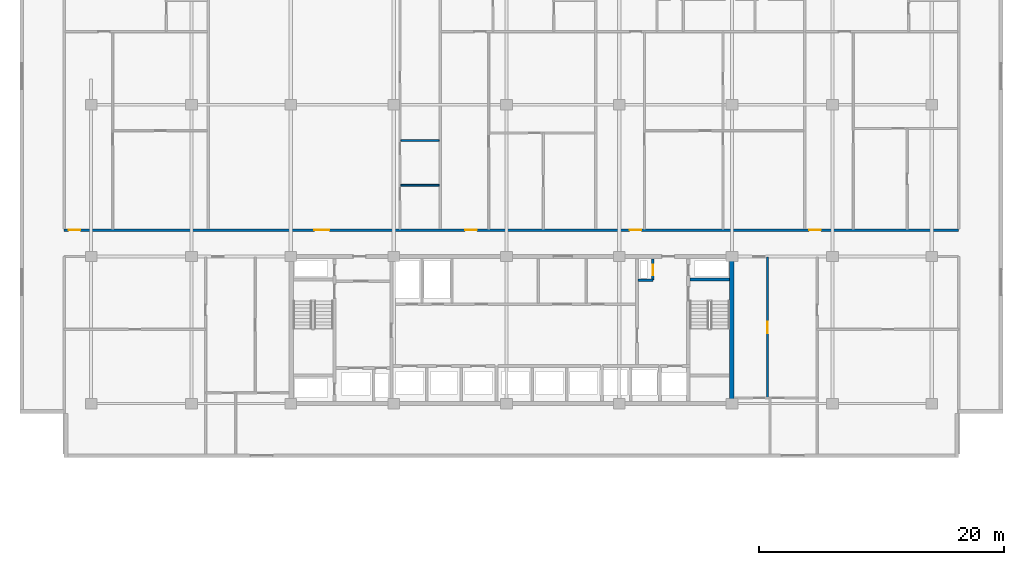
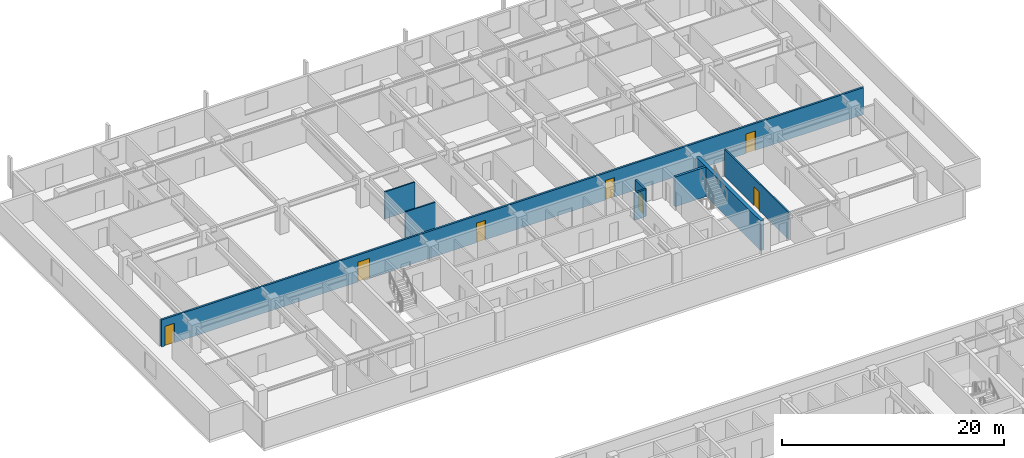
# One storey, part 13 of 22: 8 walls, 7 doors, 7 openings.
"""IFC4 building model written with IfcOpenShell, lengths in metres."""

import ifcopenshell
import ifcopenshell.guid

model = None  # the IFC model being written
_history = None  # IfcOwnerHistory: only IFC2X3 demands one
_inside = {}  # id of a spatial element -> (the spatial element, [elements in it])
_under = {}  # id of a project, library or spatial element -> (it, [spatial elements below it])
_declared = {}  # id of a project -> (the project, [libraries it declares])
_typed = {}  # id of a type object -> (the type object, [elements of that type])
_made_of = {}  # id of a material, layer set ... -> (it, [elements and type objects made of it])


def new_model(schema):
    """Start an empty IFC model of exactly this schema.

    Asked for "IFC4X3", IfcOpenShell would pick the latest addendum, in which some entities
    have other attributes; the version numbers below select the first issue.
    IFC2X3 requires an IfcOwnerHistory on every rooted entity: one is made here for all.
    """
    global model, _history
    if schema == "IFC4X3":
        model = ifcopenshell.file(schema_version=(4, 3, 0, 0))
    else:
        model = ifcopenshell.file(schema=schema)
    _inside.clear()
    _under.clear()
    _declared.clear()
    _typed.clear()
    _made_of.clear()
    _history = None
    if model.schema == "IFC2X3":
        org = make("IfcOrganization", Name="unknown")
        user = make(
            "IfcPersonAndOrganization",
            ThePerson=make("IfcPerson", FamilyName="unknown"),
            TheOrganization=org,
        )
        app = make(
            "IfcApplication",
            ApplicationDeveloper=org,
            Version="unknown",
            ApplicationFullName="unknown",
            ApplicationIdentifier="unknown",
        )
        _history = make(
            "IfcOwnerHistory",
            OwningUser=user,
            OwningApplication=app,
            ChangeAction="ADDED",
            CreationDate=0,
        )
    return model


def make(cls, **values):
    """One entity of the class cls with the attributes given. An attribute that is None is left unset."""
    return model.create_entity(
        cls, **{name: value for name, value in values.items() if value is not None}
    )


def rooted(cls, **values):
    """An entity with a GlobalId (a new one), such as an element, a storey or a relation."""
    return make(cls, GlobalId=ifcopenshell.guid.new(), OwnerHistory=_history, **values)


def si_unit(unit_type, name, prefix=None):
    """IfcSIUnit, for example si_unit("LENGTHUNIT", "METRE", prefix="MILLI")."""
    return make("IfcSIUnit", UnitType=unit_type, Prefix=prefix, Name=name)


def assignment(units):
    """IfcUnitAssignment: the units of a project."""
    return None if units is None else make("IfcUnitAssignment", Units=units)


def point(xyz):
    """IfcCartesianPoint."""
    return None if xyz is None else make("IfcCartesianPoint", Coordinates=xyz)


def direction(xyz):
    """IfcDirection."""
    return None if xyz is None else make("IfcDirection", DirectionRatios=xyz)


def frame(location, z_axis=None, x_axis=None):
    """IfcAxis2Placement3D, a coordinate frame: its origin and axes. An axis left out is left unset."""
    return make(
        "IfcAxis2Placement3D",
        Location=point(location),
        Axis=direction(z_axis),
        RefDirection=direction(x_axis),
    )


def frame_2d(location, x_axis=None):
    """IfcAxis2Placement2D, a coordinate frame in the plane: its origin and x axis."""
    return make(
        "IfcAxis2Placement2D", Location=point(location), RefDirection=direction(x_axis)
    )


def origin():
    """The frame at (0, 0, 0) with its axes left unset."""
    return frame((0.0, 0.0, 0.0))


def place(relative_to, where):
    """IfcLocalPlacement: puts the frame where relative to a parent placement (None: the world)."""
    return make(
        "IfcLocalPlacement", PlacementRelTo=relative_to, RelativePlacement=where
    )


def context(
    kind, dimensions, precision=None, world=None, true_north=None, identifier=None
):
    """IfcGeometricRepresentationContext, for example the 3D "Model" context."""
    return make(
        "IfcGeometricRepresentationContext",
        ContextIdentifier=identifier,
        ContextType=kind,
        CoordinateSpaceDimension=dimensions,
        Precision=precision,
        WorldCoordinateSystem=world,
        TrueNorth=true_north,
    )


def subcontext(parent, identifier, kind, view, scale=None):
    """IfcGeometricRepresentationSubContext, for example "Body" below "Model"."""
    return make(
        "IfcGeometricRepresentationSubContext",
        ContextIdentifier=identifier,
        ContextType=kind,
        ParentContext=parent,
        TargetScale=scale,
        TargetView=view,
    )


def project(units=None, contexts=None):
    """IfcProject with its units and contexts."""
    return rooted(
        "IfcProject",
        Name="project",
        RepresentationContexts=contexts,
        UnitsInContext=assignment(units),
    )


def spatial(cls, under=None, at=None, **own):
    """A site, building, storey or space (cls), placed at a placement, below another one or the project."""
    s = rooted(cls, ObjectPlacement=at, **own)
    if under is not None:
        _under.setdefault(under.id(), (under, []))[1].append(s)
    return s


def profile(cls, at=None, kind="AREA", **sizes):
    """A parametric profile (cls). Its sizes go by their IFC names, for example OverallWidth=200.0."""
    return make(cls, ProfileType=kind, Position=at, **sizes)


def rectangle(**sizes):
    """IfcRectangleProfileDef."""
    return profile("IfcRectangleProfileDef", **sizes)


def extrude(swept, where, along, depth):
    """IfcExtrudedAreaSolid: the profile swept, set in the frame where, extruded along a direction by depth."""
    return make(
        "IfcExtrudedAreaSolid",
        SweptArea=swept,
        Position=where,
        ExtrudedDirection=direction(along),
        Depth=depth,
    )


def shape(context_of_items, identifier, shape_type, items):
    """IfcShapeRepresentation: the items that make up one representation, for example the "Body"."""
    return make(
        "IfcShapeRepresentation",
        ContextOfItems=context_of_items,
        RepresentationIdentifier=identifier,
        RepresentationType=shape_type,
        Items=items,
    )


def material(Name=None, Category=None):
    """IfcMaterial."""
    return make("IfcMaterial", Name=Name, Category=Category)


def layer(
    of_material, thickness, ventilated=None, Name=None, Category=None, Priority=None
):
    """IfcMaterialLayer: one layer of a wall or slab, of a material (None: an air gap)."""
    return make(
        "IfcMaterialLayer",
        Material=of_material,
        LayerThickness=thickness,
        IsVentilated=ventilated,
        Name=Name,
        Category=Category,
        Priority=Priority,
    )


def layer_set(layers, Name=None):
    """IfcMaterialLayerSet."""
    return make("IfcMaterialLayerSet", MaterialLayers=layers, LayerSetName=Name)


def made_of(thing, what):
    """Note that an element or type object is made of a material, layer set ...; save() writes the relation."""
    if what is not None:
        _made_of.setdefault(what.id(), (what, []))[1].append(thing)
    return thing


def type_object(cls, material=None, **own):
    """A type object (cls), such as IfcWallType, which elements share."""
    return made_of(rooted(cls, **own), material)


def element(
    cls,
    number,
    at=None,
    inside=None,
    cuts=None,
    type_object=None,
    material=None,
    context=None,
    identifier="Body",
    shape_type=None,
    held_by="IfcProductDefinitionShape",
    body=None,
    shapes=None,
    **own,
):
    """One element of the class cls, such as IfcWall. Its Tag is "e" and its number.

    at: its placement. inside: the storey or other place that contains it. cuts: it is an
    opening in that element (IfcRelVoidsElement). A single representation is given by context,
    identifier, shape_type and body (its items); several are given by shapes. held_by: the class
    of the entity that holds the representations. save() writes the other relations.
    """
    e = rooted(cls, Tag="e%d" % number, ObjectPlacement=at, **own)
    if body is not None:
        shapes = [shape(context, identifier, shape_type, body)]
    if shapes is not None:
        e.Representation = make(held_by, Representations=shapes)
    if inside is not None:
        _inside.setdefault(inside.id(), (inside, []))[1].append(e)
    if cuts is not None:
        rooted(
            "IfcRelVoidsElement", RelatingBuildingElement=cuts, RelatedOpeningElement=e
        )
    if type_object is not None:
        _typed.setdefault(type_object.id(), (type_object, []))[1].append(e)
    return made_of(e, material)


def fill(opening, filler):
    """IfcRelFillsElement: the door or window that sits in an opening."""
    return rooted(
        "IfcRelFillsElement",
        RelatingOpeningElement=opening,
        RelatedBuildingElement=filler,
    )


def aggregate(whole, parts):
    """IfcRelAggregates: a whole, such as a stair, and the parts it consists of."""
    return rooted("IfcRelAggregates", RelatingObject=whole, RelatedObjects=parts)


def save(model, path):
    """Write the relations noted so far, then the file.

    IfcRelAggregates (storeys below a building ...), IfcRelContainedInSpatialStructure (elements
    in a storey), IfcRelDefinesByType, IfcRelAssociatesMaterial and IfcRelDeclares: one each for
    every whole, place, type object, material and project.
    """
    for whole, parts in _under.values():
        aggregate(whole, parts)
    for where, things in _inside.values():
        rooted(
            "IfcRelContainedInSpatialStructure",
            RelatedElements=things,
            RelatingStructure=where,
        )
    for kind, things in _typed.values():
        rooted("IfcRelDefinesByType", RelatedObjects=things, RelatingType=kind)
    for what, things in _made_of.values():
        rooted("IfcRelAssociatesMaterial", RelatedObjects=things, RelatingMaterial=what)
    for by, libraries in _declared.values():
        rooted("IfcRelDeclares", RelatingContext=by, RelatedDefinitions=libraries)
    model.write(path)


model = new_model("IFC4")

# Units and contexts
model_context = context("Model", 3, precision=1e-05, world=origin(), true_north=direction((0.0, 1.0)))
body_context = subcontext(model_context, "Body", "Model", "MODEL_VIEW")
ifc_project = project(units=[si_unit("LENGTHUNIT", "METRE"), si_unit("AREAUNIT", "SQUARE_METRE"), si_unit("VOLUMEUNIT", "CUBIC_METRE"), si_unit("PLANEANGLEUNIT", "RADIAN"), si_unit("MASSUNIT", "GRAM", prefix="KILO")], contexts=[model_context])

# Site, building, storey
site_placement = place(None, origin())
site = spatial("IfcSite", under=ifc_project, at=site_placement, CompositionType="ELEMENT")
building_placement = place(site_placement, origin())
building = spatial("IfcBuilding", under=site, at=building_placement, Name="Korimba Cascade Residences", CompositionType="ELEMENT")
storey_placement = place(building_placement, frame((0.0, 0.0, 87.300048828125)))
storey = spatial("IfcBuildingStorey", under=building, at=storey_placement, Name="L24", CompositionType="ELEMENT", Elevation=87.300048828125)

# Wall
ifc_material_1 = material(Name="Concrete C65/80", Category="concrete")
ifc_layer_1 = layer(ifc_material_1, 0.35009765625)
ifc_layer_set_1 = layer_set([ifc_layer_1], Name="Concrete C65/80")
wall_type_1 = type_object("IfcWallType", Name="WAL-CORE-350", PredefinedType="SHEAR", material=ifc_layer_set_1)
wall_1_placement = place(storey_placement, frame((112.074951171875, 55.375, 0.0), z_axis=(0.0, 0.0, 1.0), x_axis=(0.0, 1.0, 0.0)))
element("IfcWall", 1, at=wall_1_placement, inside=storey, type_object=wall_type_1, Name="L24 Core Shear Wall CW-L24-T1-E", PredefinedType="SHEAR", context=body_context, shape_type="SweptSolid", body=[
    extrude(rectangle(XDim=11.64990234375, YDim=0.35009765625, at=frame_2d((5.824951171875, 0.0))), origin(), (0.0, 0.0, 1.0), 3.25),
])

# Wall, openings, doors
ifc_material_2 = material(Name="Precast concrete C40/50", Category="concrete")
ifc_layer_2 = layer(ifc_material_2, 0.199951171875)
ifc_layer_set_2 = layer_set([ifc_layer_2], Name="Precast concrete C40/50")
wall_type_2 = type_object("IfcWallType", Name="WAL-IT-200", PredefinedType="PARTITIONING", material=ifc_layer_set_2)
wall_2_placement = place(storey_placement, frame((57.60009765625, 69.35009765625, 0.0), z_axis=(0.0, 0.0, 1.0), x_axis=(1.0, 0.0, 0.0)))
wall_2 = element("IfcWall", 2, at=wall_2_placement, inside=storey, type_object=wall_type_2, Name="L24 Partition Wall WAL-L24-T1-CORN", PredefinedType="PARTITIONING", context=body_context, shape_type="SweptSolid", body=[
    extrude(rectangle(XDim=73.0, YDim=0.199951171875, at=frame_2d((36.5, 0.0))), origin(), (0.0, 0.0, 1.0), 2.969970703125),
])
opening_1_placement = place(wall_2_placement, frame((0.3701171875, 0.0, 0.0)))
opening_1 = element("IfcOpeningElement", 3, at=opening_1_placement, cuts=wall_2, Name="Opening D-UN1", PredefinedType="OPENING", context=body_context, shape_type="SweptSolid", body=[
    extrude(rectangle(XDim=0.949951171875, YDim=2.14990234375, at=frame_2d((0.47509765625, 1.074951171875))), frame((0.0, 0.10986328125, 0.0), z_axis=(0.0, -1.0, 0.0), x_axis=(1.0, 0.0, 0.0)), (0.0, 0.0, 1.0), 0.219970703125),
])
opening_2_placement = place(wall_2_placement, frame((20.42138671875, 0.0, 0.0)))
opening_2 = element("IfcOpeningElement", 4, at=opening_2_placement, cuts=wall_2, Name="Opening D-AM1", PredefinedType="OPENING", context=body_context, shape_type="SweptSolid", body=[
    extrude(rectangle(XDim=1.219970703125, YDim=2.179931640625, at=frame_2d((0.60986328125, 1.08984375))), frame((0.0, 0.10986328125, 0.0), z_axis=(0.0, -1.0, 0.0), x_axis=(1.0, 0.0, 0.0)), (0.0, 0.0, 1.0), 0.219970703125),
])
opening_3_placement = place(wall_2_placement, frame((32.7294921875, 0.0, 0.0)))
opening_3 = element("IfcOpeningElement", 5, at=opening_3_placement, cuts=wall_2, Name="Opening D-UN1", PredefinedType="OPENING", context=body_context, shape_type="SweptSolid", body=[
    extrude(rectangle(XDim=0.949951171875, YDim=2.14990234375, at=frame_2d((0.47509765625, 1.074951171875))), frame((0.0, 0.10986328125, 0.0), z_axis=(0.0, -1.0, 0.0), x_axis=(1.0, 0.0, 0.0)), (0.0, 0.0, 1.0), 0.219970703125),
])
opening_4_placement = place(wall_2_placement, frame((46.1572265625, 0.0, 0.0)))
opening_4 = element("IfcOpeningElement", 6, at=opening_4_placement, cuts=wall_2, Name="Opening D-UN1", PredefinedType="OPENING", context=body_context, shape_type="SweptSolid", body=[
    extrude(rectangle(XDim=0.949951171875, YDim=2.14990234375, at=frame_2d((0.47509765625, 1.074951171875))), frame((0.0, 0.10986328125, 0.0), z_axis=(0.0, -1.0, 0.0), x_axis=(1.0, 0.0, 0.0)), (0.0, 0.0, 1.0), 0.219970703125),
])
opening_5_placement = place(wall_2_placement, frame((60.803466796875, 0.0, 0.0)))
opening_5 = element("IfcOpeningElement", 7, at=opening_5_placement, cuts=wall_2, Name="Opening D-UN1", PredefinedType="OPENING", context=body_context, shape_type="SweptSolid", body=[
    extrude(rectangle(XDim=0.949951171875, YDim=2.14990234375, at=frame_2d((0.47509765625, 1.074951171875))), frame((0.0, 0.10986328125, 0.0), z_axis=(0.0, -1.0, 0.0), x_axis=(1.0, 0.0, 0.0)), (0.0, 0.0, 1.0), 0.219970703125),
])
ifc_material_3 = material(Name="Fire-Rated Glazed Timber Suite Door", Category="wood")
door_type_1 = type_object("IfcDoorType", Name="DR-FD60-1200", OperationType="NOTDEFINED", PredefinedType="DOOR", material=ifc_material_3)
door_1_placement = place(opening_2_placement, origin())
door_1 = element("IfcDoor", 8, at=door_1_placement, inside=storey, type_object=door_type_1, Name="L24-T1-U02 Promenade Design Showroom Door", OperationType="SINGLE_SWING_RIGHT", OverallHeight=2.179931640625, OverallWidth=1.219970703125, PredefinedType="DOOR", context=body_context, shape_type="SweptSolid", body=[
    extrude(rectangle(XDim=1.219970703125, YDim=2.179931640625, at=frame_2d((0.60986328125, 1.08984375))), frame((0.0, 0.02490234375, 0.0), z_axis=(0.0, -1.0, 0.0), x_axis=(1.0, 0.0, 0.0)), (0.0, 0.0, 1.0), 0.050048828125),
])
fill(opening_2, door_1)
ifc_material_4 = material(Name="Fire-Rated Hardwood Apartment Entrance Door", Category="wood")
door_type_2 = type_object("IfcDoorType", Name="DR-FD60-950", OperationType="NOTDEFINED", PredefinedType="DOOR", material=ifc_material_4)
door_2_placement = place(opening_1_placement, origin())
door_2 = element("IfcDoor", 9, at=door_2_placement, inside=storey, type_object=door_type_2, Name="Unit L24-T1-U01 Entrance Door", OperationType="SINGLE_SWING_LEFT", OverallHeight=2.14990234375, OverallWidth=0.949951171875, PredefinedType="DOOR", context=body_context, shape_type="SweptSolid", body=[
    extrude(rectangle(XDim=0.949951171875, YDim=2.14990234375, at=frame_2d((0.47509765625, 1.074951171875))), frame((0.0, 0.02490234375, 0.0), z_axis=(0.0, -1.0, 0.0), x_axis=(1.0, 0.0, 0.0)), (0.0, 0.0, 1.0), 0.050048828125),
])
fill(opening_1, door_2)
door_3_placement = place(opening_3_placement, origin())
door_3 = element("IfcDoor", 10, at=door_3_placement, inside=storey, type_object=door_type_2, Name="Unit L24-T1-U03 Entrance Door", OperationType="SINGLE_SWING_LEFT", OverallHeight=2.14990234375, OverallWidth=0.949951171875, PredefinedType="DOOR", context=body_context, shape_type="SweptSolid", body=[
    extrude(rectangle(XDim=0.949951171875, YDim=2.14990234375, at=frame_2d((0.47509765625, 1.074951171875))), frame((0.0, 0.02490234375, 0.0), z_axis=(0.0, -1.0, 0.0), x_axis=(1.0, 0.0, 0.0)), (0.0, 0.0, 1.0), 0.050048828125),
])
fill(opening_3, door_3)
door_4_placement = place(opening_4_placement, origin())
door_4 = element("IfcDoor", 11, at=door_4_placement, inside=storey, type_object=door_type_2, Name="Unit L24-T1-U04 Entrance Door", OperationType="SINGLE_SWING_RIGHT", OverallHeight=2.14990234375, OverallWidth=0.949951171875, PredefinedType="DOOR", context=body_context, shape_type="SweptSolid", body=[
    extrude(rectangle(XDim=0.949951171875, YDim=2.14990234375, at=frame_2d((0.47509765625, 1.074951171875))), frame((0.0, 0.02490234375, 0.0), z_axis=(0.0, -1.0, 0.0), x_axis=(1.0, 0.0, 0.0)), (0.0, 0.0, 1.0), 0.050048828125),
])
fill(opening_4, door_4)
door_5_placement = place(opening_5_placement, origin())
door_5 = element("IfcDoor", 12, at=door_5_placement, inside=storey, type_object=door_type_2, Name="Unit L24-T1-U05 Entrance Door", OperationType="SINGLE_SWING_LEFT", OverallHeight=2.14990234375, OverallWidth=0.949951171875, PredefinedType="DOOR", context=body_context, shape_type="SweptSolid", body=[
    extrude(rectangle(XDim=0.949951171875, YDim=2.14990234375, at=frame_2d((0.47509765625, 1.074951171875))), frame((0.0, 0.02490234375, 0.0), z_axis=(0.0, -1.0, 0.0), x_axis=(1.0, 0.0, 0.0)), (0.0, 0.0, 1.0), 0.050048828125),
])
fill(opening_5, door_5)

# Wall, opening, door
ifc_material_5 = material(Name="Insulated Acoustic Stud Partition", Category="gypsum")
ifc_layer_3 = layer(ifc_material_5, 0.14990234375)
ifc_layer_set_3 = layer_set([ifc_layer_3], Name="Insulated Acoustic Stud Partition")
wall_type_3 = type_object("IfcWallType", Name="WAL-PART-150", PredefinedType="PARTITIONING", material=ifc_layer_set_3)
wall_3_placement = place(storey_placement, frame((115.0, 55.64990234375, 0.0), z_axis=(0.0, 0.0, 1.0), x_axis=(0.0, 1.0, 0.0)))
wall_3 = element("IfcWall", 13, at=wall_3_placement, inside=storey, type_object=wall_type_3, Name="L24 Partition Wall WAL-L24-T1-FE-VN", PredefinedType="PARTITIONING", context=body_context, shape_type="SweptSolid", body=[
    extrude(rectangle(XDim=11.5, YDim=0.14990234375, at=frame_2d((5.75, 0.0))), origin(), (0.0, 0.0, 1.0), 2.969970703125),
])
opening_6_placement = place(wall_3_placement, frame((5.2900390625, 0.0, 0.0)))
opening_6 = element("IfcOpeningElement", 14, at=opening_6_placement, cuts=wall_3, Name="Opening D-IN1", PredefinedType="OPENING", context=body_context, shape_type="SweptSolid", body=[
    extrude(rectangle(XDim=0.919921875, YDim=2.080078125, at=frame_2d((0.4599609375, 1.0400390625))), frame((0.0, 0.0849609375, 0.0), z_axis=(0.0, -1.0, 0.0), x_axis=(1.0, 0.0, 0.0)), (0.0, 0.0, 1.0), 0.169921875),
])
ifc_material_6 = material(Name="Acoustic Timber Living Door", Category="wood")
door_type_3 = type_object("IfcDoorType", Name="DR-INT-920", OperationType="NOTDEFINED", PredefinedType="DOOR", material=ifc_material_6)
door_6_placement = place(opening_6_placement, origin())
door_6 = element("IfcDoor", 15, at=door_6_placement, inside=storey, type_object=door_type_3, Name="L24-T1-FE Living Door", OperationType="SINGLE_SWING_LEFT", OverallHeight=2.080078125, OverallWidth=0.919921875, PredefinedType="DOOR", context=body_context, shape_type="SweptSolid", body=[
    extrude(rectangle(XDim=0.919921875, YDim=2.080078125, at=frame_2d((0.4599609375, 1.0400390625))), frame((0.0, 0.02490234375, 0.0), z_axis=(0.0, -1.0, 0.0), x_axis=(1.0, 0.0, 0.0)), (0.0, 0.0, 1.0), 0.050048828125),
])
fill(opening_6, door_6)

# Walls
for number, where, z_axis, x_axis, name in (
    (16, (85.07470703125, 73.02001953125, 0.0), (0.0, 0.0, 1.0), (1.0, 0.0, 0.0), "L24 Partition Wall WAL-L24-T1-U02-WCH"),
    (17, (85.07470703125, 76.669921875, 0.0), (0.0, 0.0, 1.0), (1.0, 0.0, 0.0), "L24 Partition Wall WAL-L24-T1-U02-WCH2"),
):
    element("IfcWall", number, at=place(storey_placement, frame(where, z_axis=z_axis, x_axis=x_axis)), inside=storey, type_object=wall_type_3, Name=name, PredefinedType="PARTITIONING", context=body_context, shape_type="SweptSolid", body=[
        extrude(rectangle(XDim=3.1298828125, YDim=0.14990234375, at=frame_2d((1.56494140625, 0.0))), origin(), (0.0, 0.0, 1.0), 2.969970703125),
    ])
ifc_material_7 = material(Name="Concrete C40/50", Category="concrete")
ifc_layer_4 = layer(ifc_material_7, 0.199951171875)
ifc_layer_set_4 = layer_set([ifc_layer_4], Name="Concrete C40/50")
wall_type_4 = type_object("IfcWallType", Name="WAL-PART-200", PredefinedType="PARTITIONING", material=ifc_layer_set_4)
wall_4_placement = place(storey_placement, frame((104.449951171875, 65.280029296875, 0.0), z_axis=(0.0, 0.0, 1.0), x_axis=(1.0, 0.0, 0.0)))
element("IfcWall", 18, at=wall_4_placement, inside=storey, type_object=wall_type_4, Name="L24 Partition Wall CW-L24-T1-HYDW2S", PredefinedType="PARTITIONING", context=body_context, shape_type="SweptSolid", body=[
    extrude(rectangle(XDim=1.199951171875, YDim=0.199951171875, at=frame_2d((0.60009765625, 0.0))), origin(), (0.0, 0.0, 1.0), 2.969970703125),
])

# Wall, opening, door
wall_5_placement = place(storey_placement, frame((105.64990234375, 65.280029296875, 0.0), z_axis=(0.0, 0.0, 1.0), x_axis=(0.0, 1.0, 0.0)))
wall_5 = element("IfcWall", 19, at=wall_5_placement, inside=storey, type_object=wall_type_4, Name="L24 Partition Wall CW-L24-T1-HYDW2E", PredefinedType="PARTITIONING", context=body_context, shape_type="SweptSolid", body=[
    extrude(rectangle(XDim=1.719970703125, YDim=0.199951171875, at=frame_2d((0.85986328125, 0.0))), origin(), (0.0, 0.0, 1.0), 2.969970703125),
])
opening_7_placement = place(wall_5_placement, frame((0.39990234375, 0.0, 0.0)))
opening_7 = element("IfcOpeningElement", 20, at=opening_7_placement, cuts=wall_5, Name="Opening D-RS1", PredefinedType="OPENING", context=body_context, shape_type="SweptSolid", body=[
    extrude(rectangle(XDim=0.85009765625, YDim=2.050048828125, at=frame_2d((0.425048828125, 1.02490234375))), frame((0.0, 0.10986328125, 0.0), z_axis=(0.0, -1.0, 0.0), x_axis=(1.0, 0.0, 0.0)), (0.0, 0.0, 1.0), 0.219970703125),
])
ifc_material_8 = material(Name="Fire-Rated Steel Riser Access Door", Category="steel")
door_type_4 = type_object("IfcDoorType", Name="DR-FD60-850", OperationType="NOTDEFINED", PredefinedType="DOOR", material=ifc_material_8)
door_7_placement = place(opening_7_placement, origin())
door_7 = element("IfcDoor", 21, at=door_7_placement, inside=storey, type_object=door_type_4, Name="L24 East Hydrant Door", OperationType="SINGLE_SWING_LEFT", OverallHeight=2.050048828125, OverallWidth=0.85009765625, PredefinedType="DOOR", context=body_context, shape_type="SweptSolid", body=[
    extrude(rectangle(XDim=0.85009765625, YDim=2.050048828125, at=frame_2d((0.425048828125, 1.02490234375))), frame((0.0, 0.02490234375, 0.0), z_axis=(0.0, -1.0, 0.0), x_axis=(1.0, 0.0, 0.0)), (0.0, 0.0, 1.0), 0.050048828125),
])
fill(opening_7, door_7)

# Wall
ifc_material_9 = material(Name="Concrete C50/60", Category="concrete")
ifc_layer_5 = layer(ifc_material_9, 0.25)
ifc_layer_set_5 = layer_set([ifc_layer_5], Name="Concrete C50/60")
wall_type_5 = type_object("IfcWallType", Name="WAL-SHAFT-250", PredefinedType="SHEAR", material=ifc_layer_set_5)
wall_6_placement = place(storey_placement, frame((108.659912109375, 65.324951171875, 0.0), z_axis=(0.0, 0.0, 1.0), x_axis=(1.0, 0.0, 0.0)))
element("IfcWall", 22, at=wall_6_placement, inside=storey, type_object=wall_type_5, Name="L24 Core Shear Wall CW-L24-T1-STW2N", PredefinedType="SHEAR", context=body_context, shape_type="SweptSolid", body=[
    extrude(rectangle(XDim=3.239990234375, YDim=0.25, at=frame_2d((1.6201171875, 0.0))), origin(), (0.0, 0.0, 1.0), 3.25),
])

save(model, "model.ifc")
